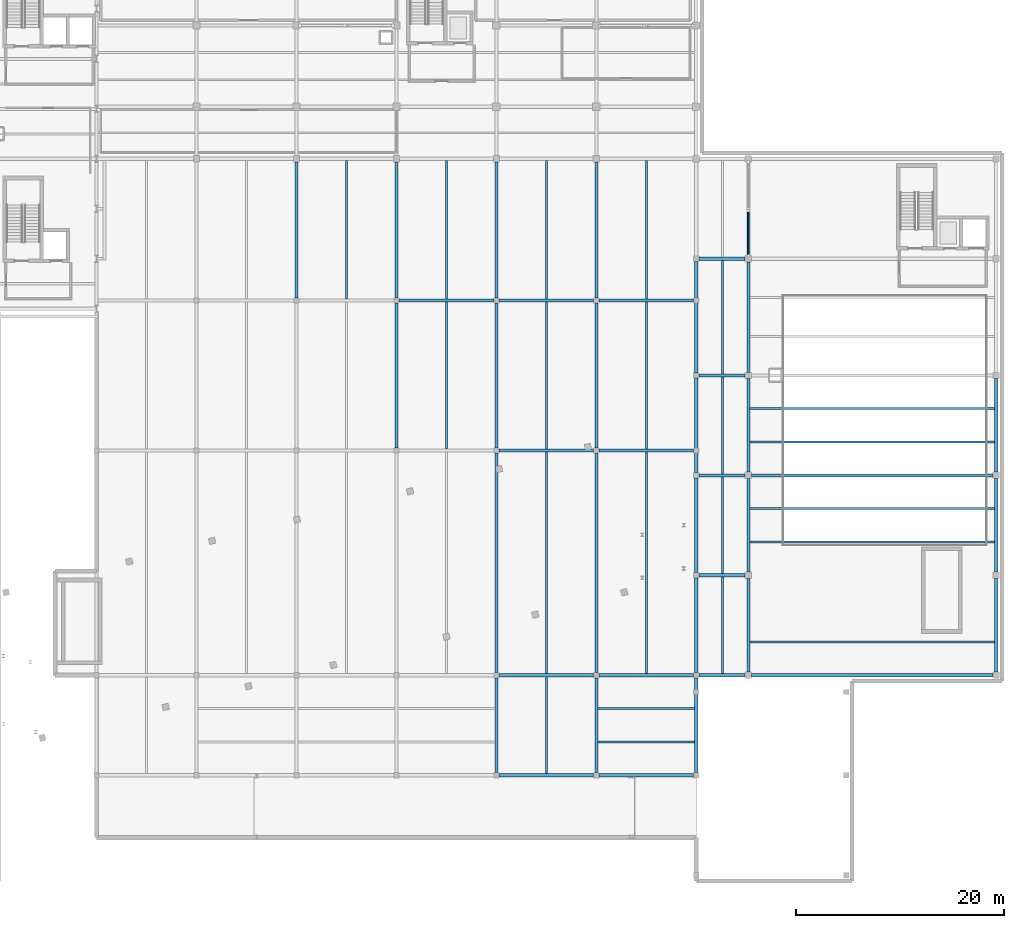
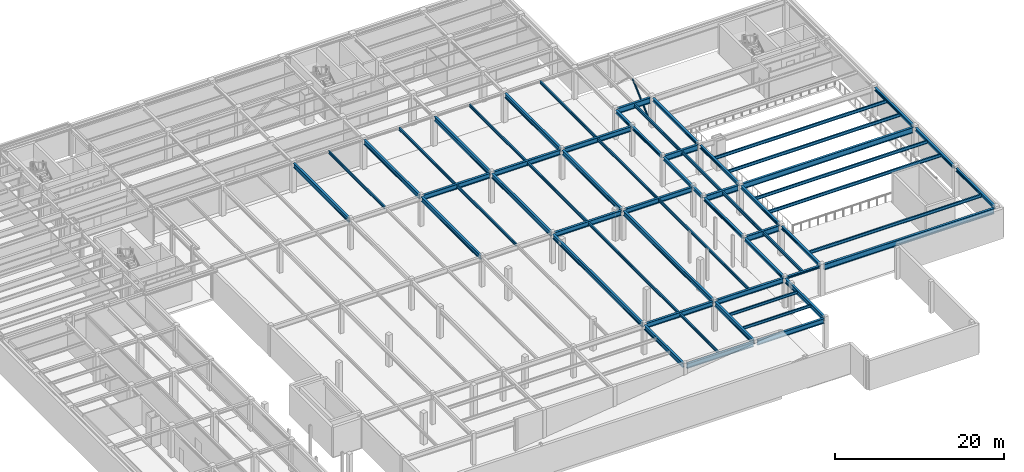
# One storey, part 12 of 32: 60 beams, 1 member.
"""IFC4 building model written with IfcOpenShell, lengths in metres."""

from ifc_helpers import new_model, si_unit, direction, frame, origin, origin_2d, place, context, subcontext, project, spatial, hollow_circle, i_section, extrude, material, material_profile, profile_set, type_object, element, save


model = new_model("IFC4")

# Units and contexts
model_context = context("Model", 3, precision=1e-05, world=origin(), true_north=direction((0.0, 1.0)))
body_context = subcontext(model_context, "Body", "Model", "MODEL_VIEW")
ifc_project = project(units=[si_unit("LENGTHUNIT", "METRE"), si_unit("AREAUNIT", "SQUARE_METRE"), si_unit("VOLUMEUNIT", "CUBIC_METRE"), si_unit("PLANEANGLEUNIT", "RADIAN"), si_unit("MASSUNIT", "GRAM", prefix="KILO")], contexts=[model_context])

# Site, building, storey
site_placement = place(None, origin())
site = spatial("IfcSite", under=ifc_project, at=site_placement, CompositionType="ELEMENT")
building_placement = place(site_placement, origin())
building = spatial("IfcBuilding", under=site, at=building_placement, Name="Nordkorset Police Headquarters", CompositionType="ELEMENT")
storey_placement = place(building_placement, frame((0.0, 0.0, -4.550048828125)))
storey = spatial("IfcBuildingStorey", under=building, at=storey_placement, Name="B01", CompositionType="ELEMENT", Elevation=-4.550048828125)

# Beams
ifc_material_1 = material(Name="Steel S355J2", Category="steel")
ifc_material_profile_1 = material_profile(ifc_material_1, i_section(OverallWidth=0.179931640625, OverallDepth=0.39990234375, WebThickness=0.008544921875, FlangeThickness=0.013427734375, FilletRadius=0.02099609375, at=origin_2d()), Name="IPE 400")
ifc_profile_set_1 = profile_set([ifc_material_profile_1], Name="Steel S355J2")
beam_type_1 = type_object("IfcBeamType", Name="Beam_IPE_400", PredefinedType="BEAM", material=ifc_profile_set_1)
beam_1_placement = place(storey_placement, frame((52.800048828125, 84.14990234375, 4.080078125), z_axis=(0.0, 1.0, 0.0), x_axis=(-1.0, 0.0, 0.0)))
element("IfcBeam", 1, at=beam_1_placement, inside=storey, type_object=beam_type_1, Name="Composite Floor Beam SUB B01 2-3-1", PredefinedType="BEAM", context=body_context, shape_type="SweptSolid", body=[
    extrude(i_section(OverallWidth=0.179931640625, OverallDepth=0.39990234375, WebThickness=0.008544921875, FlangeThickness=0.013427734375, FilletRadius=0.02099609375, at=origin_2d()), origin(), (0.0, 0.0, 1.0), 13.300048828125),
])
beam_2_placement = place(storey_placement, frame((62.39990234375, 69.75, 4.080078125), z_axis=(0.0, 1.0, 0.0), x_axis=(-1.0, 0.0, 0.0)))
element("IfcBeam", 2, at=beam_2_placement, inside=storey, type_object=beam_type_1, Name="Composite Floor Beam SUB B01 3-2-1", PredefinedType="BEAM", context=body_context, shape_type="SweptSolid", body=[
    extrude(i_section(OverallWidth=0.179931640625, OverallDepth=0.39990234375, WebThickness=0.008544921875, FlangeThickness=0.013427734375, FilletRadius=0.02099609375, at=origin_2d()), origin(), (0.0, 0.0, 1.0), 14.10009765625),
])
beam_3_placement = place(storey_placement, frame((62.39990234375, 84.14990234375, 4.080078125), z_axis=(0.0, 1.0, 0.0), x_axis=(-1.0, 0.0, 0.0)))
element("IfcBeam", 3, at=beam_3_placement, inside=storey, type_object=beam_type_1, Name="Composite Floor Beam SUB B01 3-3-1", PredefinedType="BEAM", context=body_context, shape_type="SweptSolid", body=[
    extrude(i_section(OverallWidth=0.179931640625, OverallDepth=0.39990234375, WebThickness=0.008544921875, FlangeThickness=0.013427734375, FilletRadius=0.02099609375, at=origin_2d()), origin(), (0.0, 0.0, 1.0), 13.300048828125),
])
beam_4_placement = place(storey_placement, frame((72.0, 38.550048828125, 4.080078125), z_axis=(0.0, 1.0, 0.0), x_axis=(-1.0, 0.0, 0.0)))
element("IfcBeam", 4, at=beam_4_placement, inside=storey, type_object=beam_type_1, Name="Composite Floor Beam SUB B01 4-0-1", PredefinedType="BEAM", context=body_context, shape_type="SweptSolid", body=[
    extrude(i_section(OverallWidth=0.179931640625, OverallDepth=0.39990234375, WebThickness=0.008544921875, FlangeThickness=0.013427734375, FilletRadius=0.02099609375, at=origin_2d()), origin(), (0.0, 0.0, 1.0), 9.300048828125),
])
beam_5_placement = place(storey_placement, frame((72.0, 48.14990234375, 4.080078125), z_axis=(0.0, 1.0, 0.0), x_axis=(-1.0, 0.0, 0.0)))
element("IfcBeam", 5, at=beam_5_placement, inside=storey, type_object=beam_type_1, Name="Composite Floor Beam SUB B01 4-1-1", PredefinedType="BEAM", context=body_context, shape_type="SweptSolid", body=[
    extrude(i_section(OverallWidth=0.179931640625, OverallDepth=0.39990234375, WebThickness=0.008544921875, FlangeThickness=0.013427734375, FilletRadius=0.02099609375, at=origin_2d()), origin(), (0.0, 0.0, 1.0), 21.300048828125),
])
beam_6_placement = place(storey_placement, frame((72.0, 69.75, 4.080078125), z_axis=(0.0, 1.0, 0.0), x_axis=(-1.0, 0.0, 0.0)))
element("IfcBeam", 6, at=beam_6_placement, inside=storey, type_object=beam_type_1, Name="Composite Floor Beam SUB B01 4-2-1", PredefinedType="BEAM", context=body_context, shape_type="SweptSolid", body=[
    extrude(i_section(OverallWidth=0.179931640625, OverallDepth=0.39990234375, WebThickness=0.008544921875, FlangeThickness=0.013427734375, FilletRadius=0.02099609375, at=origin_2d()), origin(), (0.0, 0.0, 1.0), 14.10009765625),
])
beam_7_placement = place(storey_placement, frame((72.0, 84.14990234375, 4.080078125), z_axis=(0.0, 1.0, 0.0), x_axis=(-1.0, 0.0, 0.0)))
element("IfcBeam", 7, at=beam_7_placement, inside=storey, type_object=beam_type_1, Name="Composite Floor Beam SUB B01 4-3-1", PredefinedType="BEAM", context=body_context, shape_type="SweptSolid", body=[
    extrude(i_section(OverallWidth=0.179931640625, OverallDepth=0.39990234375, WebThickness=0.008544921875, FlangeThickness=0.013427734375, FilletRadius=0.02099609375, at=origin_2d()), origin(), (0.0, 0.0, 1.0), 13.300048828125),
])
for number, where, z_axis, x_axis, name in (
    (8, (76.949951171875, 41.60009765625, 4.080078125), (1.0, 0.0, 0.0), (0.0, 1.0, 0.0), "Composite Floor Beam SUB B01 5-0-1"),
    (9, (76.949951171875, 44.800048828125, 4.080078125), (1.0, 0.0, 0.0), (0.0, 1.0, 0.0), "Composite Floor Beam SUB B01 5-0-2"),
):
    element("IfcBeam", number, at=place(storey_placement, frame(where, z_axis=z_axis, x_axis=x_axis)), inside=storey, type_object=beam_type_1, Name=name, PredefinedType="BEAM", context=body_context, shape_type="SweptSolid", body=[
        extrude(i_section(OverallWidth=0.179931640625, OverallDepth=0.39990234375, WebThickness=0.008544921875, FlangeThickness=0.013427734375, FilletRadius=0.02099609375, at=origin_2d()), origin(), (0.0, 0.0, 1.0), 9.300048828125),
    ])
beam_8_placement = place(storey_placement, frame((81.60009765625, 48.14990234375, 4.080078125), z_axis=(0.0, 1.0, 0.0), x_axis=(-1.0, 0.0, 0.0)))
element("IfcBeam", 10, at=beam_8_placement, inside=storey, type_object=beam_type_1, Name="Composite Floor Beam SUB B01 5-1-1", PredefinedType="BEAM", context=body_context, shape_type="SweptSolid", body=[
    extrude(i_section(OverallWidth=0.179931640625, OverallDepth=0.39990234375, WebThickness=0.008544921875, FlangeThickness=0.013427734375, FilletRadius=0.02099609375, at=origin_2d()), origin(), (0.0, 0.0, 1.0), 21.300048828125),
])
beam_9_placement = place(storey_placement, frame((81.60009765625, 69.75, 4.080078125), z_axis=(0.0, 1.0, 0.0), x_axis=(-1.0, 0.0, 0.0)))
element("IfcBeam", 11, at=beam_9_placement, inside=storey, type_object=beam_type_1, Name="Composite Floor Beam SUB B01 5-2-1", PredefinedType="BEAM", context=body_context, shape_type="SweptSolid", body=[
    extrude(i_section(OverallWidth=0.179931640625, OverallDepth=0.39990234375, WebThickness=0.008544921875, FlangeThickness=0.013427734375, FilletRadius=0.02099609375, at=origin_2d()), origin(), (0.0, 0.0, 1.0), 14.10009765625),
])
beam_10_placement = place(storey_placement, frame((81.60009765625, 84.14990234375, 4.080078125), z_axis=(0.0, 1.0, 0.0), x_axis=(-1.0, 0.0, 0.0)))
element("IfcBeam", 12, at=beam_10_placement, inside=storey, type_object=beam_type_1, Name="Composite Floor Beam SUB B01 5-3-1", PredefinedType="BEAM", context=body_context, shape_type="SweptSolid", body=[
    extrude(i_section(OverallWidth=0.179931640625, OverallDepth=0.39990234375, WebThickness=0.008544921875, FlangeThickness=0.013427734375, FilletRadius=0.02099609375, at=origin_2d()), origin(), (0.0, 0.0, 1.0), 13.300048828125),
])
ifc_material_2 = material(Name="Steel S355J2", Category="steel")
ifc_material_profile_2 = material_profile(ifc_material_2, i_section(OverallWidth=0.18994140625, OverallDepth=0.449951171875, WebThickness=0.009521484375, FlangeThickness=0.0146484375, FilletRadius=0.02099609375, at=origin_2d()), Name="IPE 450")
ifc_profile_set_2 = profile_set([ifc_material_profile_2], Name="Steel S355J2")
beam_type_2 = type_object("IfcBeamType", Name="Beam_IPE_450", PredefinedType="BEAM", material=ifc_profile_set_2)
for number, where, z_axis, x_axis, name in (
    (13, (88.89990234375, 48.14990234375, 4.054931640625), (0.0, 1.0, 0.0), (-1.0, 0.0, 0.0), "Composite Floor Beam V5 B01 0-0-1"),
    (14, (88.89990234375, 57.75, 4.054931640625), (0.0, 1.0, 0.0), (-1.0, 0.0, 0.0), "Composite Floor Beam V5 B01 0-1-1"),
):
    element("IfcBeam", number, at=place(storey_placement, frame(where, z_axis=z_axis, x_axis=x_axis)), inside=storey, type_object=beam_type_2, Name=name, PredefinedType="BEAM", context=body_context, shape_type="SweptSolid", body=[
        extrude(i_section(OverallWidth=0.18994140625, OverallDepth=0.449951171875, WebThickness=0.009521484375, FlangeThickness=0.0146484375, FilletRadius=0.02099609375, at=origin_2d()), origin(), (0.0, 0.0, 1.0), 9.300048828125),
    ])
beam_11_placement = place(storey_placement, frame((88.89990234375, 67.35009765625, 4.054931640625), z_axis=(0.0, 1.0, 0.0), x_axis=(-1.0, 0.0, 0.0)))
element("IfcBeam", 15, at=beam_11_placement, inside=storey, type_object=beam_type_2, Name="Composite Floor Beam V5 B01 0-2-1", PredefinedType="BEAM", context=body_context, shape_type="SweptSolid", body=[
    extrude(i_section(OverallWidth=0.18994140625, OverallDepth=0.449951171875, WebThickness=0.009521484375, FlangeThickness=0.0146484375, FilletRadius=0.02099609375, at=origin_2d()), origin(), (0.0, 0.0, 1.0), 9.2998046875),
])
beam_12_placement = place(storey_placement, frame((88.89990234375, 76.949951171875, 4.054931640625), z_axis=(0.0, 1.0, 0.0), x_axis=(-1.0, 0.0, 0.0)))
element("IfcBeam", 16, at=beam_12_placement, inside=storey, type_object=beam_type_2, Name="Composite Floor Beam V5 B01 0-3-1", PredefinedType="BEAM", context=body_context, shape_type="SweptSolid", body=[
    extrude(i_section(OverallWidth=0.18994140625, OverallDepth=0.449951171875, WebThickness=0.009521484375, FlangeThickness=0.0146484375, FilletRadius=0.02099609375, at=origin_2d()), origin(), (0.0, 0.0, 1.0), 10.900146484375),
])
for number, where, z_axis, x_axis, name in (
    (17, (91.550048828125, 51.199951171875, 4.054931640625), (1.0, 0.0, 0.0), (0.0, 1.0, 0.0), "Composite Floor Beam V5 B01 1-0-1"),
    (18, (91.550048828125, 60.800048828125, 4.054931640625), (1.0, 0.0, 0.0), (0.0, 1.0, 0.0), "Composite Floor Beam V5 B01 1-1-1"),
    (19, (91.550048828125, 64.0, 4.054931640625), (1.0, 0.0, 0.0), (0.0, 1.0, 0.0), "Composite Floor Beam V5 B01 1-1-2"),
    (20, (91.550048828125, 70.39990234375, 4.054931640625), (1.0, 0.0, 0.0), (0.0, 1.0, 0.0), "Composite Floor Beam V5 B01 1-2-1"),
    (21, (91.550048828125, 73.60009765625, 4.054931640625), (1.0, 0.0, 0.0), (0.0, 1.0, 0.0), "Composite Floor Beam V5 B01 1-2-2"),
):
    element("IfcBeam", number, at=place(storey_placement, frame(where, z_axis=z_axis, x_axis=x_axis)), inside=storey, type_object=beam_type_2, Name=name, PredefinedType="BEAM", context=body_context, shape_type="SweptSolid", body=[
        extrude(i_section(OverallWidth=0.18994140625, OverallDepth=0.449951171875, WebThickness=0.009521484375, FlangeThickness=0.0146484375, FilletRadius=0.02099609375, at=origin_2d()), origin(), (0.0, 0.0, 1.0), 23.5),
    ])

# Member
ifc_material_3 = material(Name="Steel S355J2", Category="steel")
ifc_material_profile_3 = material_profile(ifc_material_3, hollow_circle(Radius=0.109619140625, WallThickness=0.010009765625, at=origin_2d()), Name="CHS 219.1x10")
ifc_profile_set_3 = profile_set([ifc_material_profile_3], Name="Steel S355J2")
member_type = type_object("IfcMemberType", Name="Brace_CHS_219.1x10", PredefinedType="BRACE", material=ifc_profile_set_3)
member_placement = place(storey_placement, frame((91.39990234375, 88.300048828125, 0.199951171875), z_axis=(0.0, 0.745688620478, 0.66629459047), x_axis=(-1.0, 0.0, 0.0)))
element("IfcMember", 22, at=member_placement, inside=storey, type_object=member_type, Name="Lateral Chevron Brace BF-V5-A B01 D1", PredefinedType="BRACE", context=body_context, shape_type="SweptSolid", body=[
    extrude(hollow_circle(Radius=0.109619140625, WallThickness=0.010009765625, at=origin_2d()), origin(), (0.0, 0.0, 1.0), 5.79345703125),
])

# Beams
ifc_material_4 = material(Name="Steel S355J2", Category="steel")
ifc_material_profile_4 = material_profile(ifc_material_4, i_section(OverallWidth=0.300048828125, OverallDepth=0.43994140625, WebThickness=0.011474609375, FlangeThickness=0.02099609375, FilletRadius=0.027099609375, at=origin_2d()), Name="HEA 450")
ifc_profile_set_4 = profile_set([ifc_material_profile_4], Name="Steel S355J2")
beam_type_3 = type_object("IfcBeamType", Name="Girder_HEA_450", PredefinedType="USERDEFINED", material=ifc_profile_set_4)
beam_13_placement = place(storey_placement, frame((86.39990234375, 48.25, 4.06005859375), z_axis=(0.0, 1.0, 0.0), x_axis=(-1.0, 0.0, 0.0)))
element("IfcBeam", 23, at=beam_13_placement, inside=storey, type_object=beam_type_3, Name="Girder V5 B01 GY-0-0", ObjectType="GIRDER", PredefinedType="USERDEFINED", context=body_context, shape_type="SweptSolid", body=[
    extrude(i_section(OverallWidth=0.300048828125, OverallDepth=0.43994140625, WebThickness=0.011474609375, FlangeThickness=0.02099609375, FilletRadius=0.027099609375, at=origin_2d()), origin(), (0.0, 0.0, 1.0), 9.10009765625),
])
beam_14_placement = place(storey_placement, frame((86.39990234375, 57.85009765625, 4.06005859375), z_axis=(0.0, 1.0, 0.0), x_axis=(-1.0, 0.0, 0.0)))
element("IfcBeam", 24, at=beam_14_placement, inside=storey, type_object=beam_type_3, Name="Girder V5 B01 GY-0-1", ObjectType="GIRDER", PredefinedType="USERDEFINED", context=body_context, shape_type="SweptSolid", body=[
    extrude(i_section(OverallWidth=0.300048828125, OverallDepth=0.43994140625, WebThickness=0.011474609375, FlangeThickness=0.02099609375, FilletRadius=0.027099609375, at=origin_2d()), origin(), (0.0, 0.0, 1.0), 9.099853515625),
])
beam_15_placement = place(storey_placement, frame((86.39990234375, 67.449951171875, 4.06005859375), z_axis=(0.0, 1.0, 0.0), x_axis=(-1.0, 0.0, 0.0)))
element("IfcBeam", 25, at=beam_15_placement, inside=storey, type_object=beam_type_3, Name="Girder V5 B01 GY-0-2", ObjectType="GIRDER", PredefinedType="USERDEFINED", context=body_context, shape_type="SweptSolid", body=[
    extrude(i_section(OverallWidth=0.300048828125, OverallDepth=0.43994140625, WebThickness=0.011474609375, FlangeThickness=0.02099609375, FilletRadius=0.027099609375, at=origin_2d()), origin(), (0.0, 0.0, 1.0), 9.10009765625),
])
beam_16_placement = place(storey_placement, frame((86.39990234375, 77.050048828125, 4.06005859375), z_axis=(0.0, 1.0, 0.0), x_axis=(-1.0, 0.0, 0.0)))
element("IfcBeam", 26, at=beam_16_placement, inside=storey, type_object=beam_type_3, Name="Girder V5 B01 GY-0-3", ObjectType="GIRDER", PredefinedType="USERDEFINED", context=body_context, shape_type="SweptSolid", body=[
    extrude(i_section(OverallWidth=0.300048828125, OverallDepth=0.43994140625, WebThickness=0.011474609375, FlangeThickness=0.02099609375, FilletRadius=0.027099609375, at=origin_2d()), origin(), (0.0, 0.0, 1.0), 10.699951171875),
])
for number, where, z_axis, x_axis, name in (
    (27, (91.39990234375, 48.300048828125, 4.06005859375), (0.0, 1.0, 0.0), (-1.0, 0.0, 0.0), "Girder V5 B01 GY-1-0"),
    (28, (91.39990234375, 57.89990234375, 4.06005859375), (0.0, 1.0, 0.0), (-1.0, 0.0, 0.0), "Girder V5 B01 GY-1-1"),
    (29, (91.39990234375, 67.5, 4.06005859375), (0.0, 1.0, 0.0), (-1.0, 0.0, 0.0), "Girder V5 B01 GY-1-2"),
):
    element("IfcBeam", number, at=place(storey_placement, frame(where, z_axis=z_axis, x_axis=x_axis)), inside=storey, type_object=beam_type_3, Name=name, ObjectType="GIRDER", PredefinedType="USERDEFINED", context=body_context, shape_type="SweptSolid", body=[
        extrude(i_section(OverallWidth=0.300048828125, OverallDepth=0.43994140625, WebThickness=0.011474609375, FlangeThickness=0.02099609375, FilletRadius=0.027099609375, at=origin_2d()), origin(), (0.0, 0.0, 1.0), 9.0),
    ])
beam_17_placement = place(storey_placement, frame((91.39990234375, 77.10009765625, 4.06005859375), z_axis=(0.0, 1.0, 0.0), x_axis=(-1.0, 0.0, 0.0)))
element("IfcBeam", 30, at=beam_17_placement, inside=storey, type_object=beam_type_3, Name="Girder V5 B01 GY-1-3", ObjectType="GIRDER", PredefinedType="USERDEFINED", context=body_context, shape_type="SweptSolid", body=[
    extrude(i_section(OverallWidth=0.300048828125, OverallDepth=0.43994140625, WebThickness=0.011474609375, FlangeThickness=0.02099609375, FilletRadius=0.027099609375, at=origin_2d()), origin(), (0.0, 0.0, 1.0), 10.599853515625),
])
for number, where, z_axis, x_axis, name in (
    (31, (115.199951171875, 48.300048828125, 4.06005859375), (0.0, 1.0, 0.0), (-1.0, 0.0, 0.0), "Girder V5 B01 GY-2-0"),
    (32, (115.199951171875, 57.89990234375, 4.06005859375), (0.0, 1.0, 0.0), (-1.0, 0.0, 0.0), "Girder V5 B01 GY-2-1"),
    (33, (115.199951171875, 67.5, 4.06005859375), (0.0, 1.0, 0.0), (-1.0, 0.0, 0.0), "Girder V5 B01 GY-2-2"),
):
    element("IfcBeam", number, at=place(storey_placement, frame(where, z_axis=z_axis, x_axis=x_axis)), inside=storey, type_object=beam_type_3, Name=name, ObjectType="GIRDER", PredefinedType="USERDEFINED", context=body_context, shape_type="SweptSolid", body=[
        extrude(i_section(OverallWidth=0.300048828125, OverallDepth=0.43994140625, WebThickness=0.011474609375, FlangeThickness=0.02099609375, FilletRadius=0.027099609375, at=origin_2d()), origin(), (0.0, 0.0, 1.0), 9.0),
    ])
ifc_material_5 = material(Name="Steel S355J2", Category="steel")
ifc_material_profile_5 = material_profile(ifc_material_5, i_section(OverallWidth=0.300048828125, OverallDepth=0.64990234375, WebThickness=0.01611328125, FlangeThickness=0.031005859375, FilletRadius=0.027099609375, at=origin_2d()), Name="HEB 650")
ifc_profile_set_5 = profile_set([ifc_material_profile_5], Name="Steel S355J2")
beam_type_4 = type_object("IfcBeamType", Name="Girder_HEB_650", PredefinedType="USERDEFINED", material=ifc_profile_set_5)
beam_18_placement = place(storey_placement, frame((48.0, 84.25, 3.955078125), z_axis=(0.0, 1.0, 0.0), x_axis=(-1.0, 0.0, 0.0)))
element("IfcBeam", 34, at=beam_18_placement, inside=storey, type_object=beam_type_4, Name="Girder SUB B01 GY-2-3", ObjectType="GIRDER", PredefinedType="USERDEFINED", context=body_context, shape_type="SweptSolid", body=[
    extrude(i_section(OverallWidth=0.300048828125, OverallDepth=0.64990234375, WebThickness=0.01611328125, FlangeThickness=0.031005859375, FilletRadius=0.027099609375, at=origin_2d()), origin(), (0.0, 0.0, 1.0), 13.050048828125),
])
beam_19_placement = place(storey_placement, frame((57.60009765625, 69.85009765625, 3.955078125), z_axis=(0.0, 1.0, 0.0), x_axis=(-1.0, 0.0, 0.0)))
element("IfcBeam", 35, at=beam_19_placement, inside=storey, type_object=beam_type_4, Name="Girder SUB B01 GY-3-2", ObjectType="GIRDER", PredefinedType="USERDEFINED", context=body_context, shape_type="SweptSolid", body=[
    extrude(i_section(OverallWidth=0.300048828125, OverallDepth=0.64990234375, WebThickness=0.01611328125, FlangeThickness=0.031005859375, FilletRadius=0.027099609375, at=origin_2d()), origin(), (0.0, 0.0, 1.0), 13.89990234375),
])
beam_20_placement = place(storey_placement, frame((57.60009765625, 84.25, 3.955078125), z_axis=(0.0, 1.0, 0.0), x_axis=(-1.0, 0.0, 0.0)))
element("IfcBeam", 36, at=beam_20_placement, inside=storey, type_object=beam_type_4, Name="Girder SUB B01 GY-3-3", ObjectType="GIRDER", PredefinedType="USERDEFINED", context=body_context, shape_type="SweptSolid", body=[
    extrude(i_section(OverallWidth=0.300048828125, OverallDepth=0.64990234375, WebThickness=0.01611328125, FlangeThickness=0.031005859375, FilletRadius=0.027099609375, at=origin_2d()), origin(), (0.0, 0.0, 1.0), 13.050048828125),
])
beam_21_placement = place(storey_placement, frame((67.199951171875, 38.64990234375, 3.955078125), z_axis=(0.0, 1.0, 0.0), x_axis=(-1.0, 0.0, 0.0)))
element("IfcBeam", 37, at=beam_21_placement, inside=storey, type_object=beam_type_4, Name="Girder SUB B01 GY-4-0", ObjectType="GIRDER", PredefinedType="USERDEFINED", context=body_context, shape_type="SweptSolid", body=[
    extrude(i_section(OverallWidth=0.300048828125, OverallDepth=0.64990234375, WebThickness=0.01611328125, FlangeThickness=0.031005859375, FilletRadius=0.027099609375, at=origin_2d()), origin(), (0.0, 0.0, 1.0), 9.10009765625),
])
beam_22_placement = place(storey_placement, frame((67.199951171875, 48.25, 3.955078125), z_axis=(0.0, 1.0, 0.0), x_axis=(-1.0, 0.0, 0.0)))
element("IfcBeam", 38, at=beam_22_placement, inside=storey, type_object=beam_type_4, Name="Girder SUB B01 GY-4-1", ObjectType="GIRDER", PredefinedType="USERDEFINED", context=body_context, shape_type="SweptSolid", body=[
    extrude(i_section(OverallWidth=0.300048828125, OverallDepth=0.64990234375, WebThickness=0.01611328125, FlangeThickness=0.031005859375, FilletRadius=0.027099609375, at=origin_2d()), origin(), (0.0, 0.0, 1.0), 21.10009765625),
])
beam_23_placement = place(storey_placement, frame((67.199951171875, 69.85009765625, 3.955078125), z_axis=(0.0, 1.0, 0.0), x_axis=(-1.0, 0.0, 0.0)))
element("IfcBeam", 39, at=beam_23_placement, inside=storey, type_object=beam_type_4, Name="Girder SUB B01 GY-4-2", ObjectType="GIRDER", PredefinedType="USERDEFINED", context=body_context, shape_type="SweptSolid", body=[
    extrude(i_section(OverallWidth=0.300048828125, OverallDepth=0.64990234375, WebThickness=0.01611328125, FlangeThickness=0.031005859375, FilletRadius=0.027099609375, at=origin_2d()), origin(), (0.0, 0.0, 1.0), 13.89990234375),
])
beam_24_placement = place(storey_placement, frame((67.199951171875, 84.25, 3.955078125), z_axis=(0.0, 1.0, 0.0), x_axis=(-1.0, 0.0, 0.0)))
element("IfcBeam", 40, at=beam_24_placement, inside=storey, type_object=beam_type_4, Name="Girder SUB B01 GY-4-3", ObjectType="GIRDER", PredefinedType="USERDEFINED", context=body_context, shape_type="SweptSolid", body=[
    extrude(i_section(OverallWidth=0.300048828125, OverallDepth=0.64990234375, WebThickness=0.01611328125, FlangeThickness=0.031005859375, FilletRadius=0.027099609375, at=origin_2d()), origin(), (0.0, 0.0, 1.0), 13.050048828125),
])
beam_25_placement = place(storey_placement, frame((76.800048828125, 38.64990234375, 3.955078125), z_axis=(0.0, 1.0, 0.0), x_axis=(-1.0, 0.0, 0.0)))
element("IfcBeam", 41, at=beam_25_placement, inside=storey, type_object=beam_type_4, Name="Girder SUB B01 GY-5-0", ObjectType="GIRDER", PredefinedType="USERDEFINED", context=body_context, shape_type="SweptSolid", body=[
    extrude(i_section(OverallWidth=0.300048828125, OverallDepth=0.64990234375, WebThickness=0.01611328125, FlangeThickness=0.031005859375, FilletRadius=0.027099609375, at=origin_2d()), origin(), (0.0, 0.0, 1.0), 9.10009765625),
])
beam_26_placement = place(storey_placement, frame((76.800048828125, 48.25, 3.955078125), z_axis=(0.0, 1.0, 0.0), x_axis=(-1.0, 0.0, 0.0)))
element("IfcBeam", 42, at=beam_26_placement, inside=storey, type_object=beam_type_4, Name="Girder SUB B01 GY-5-1", ObjectType="GIRDER", PredefinedType="USERDEFINED", context=body_context, shape_type="SweptSolid", body=[
    extrude(i_section(OverallWidth=0.300048828125, OverallDepth=0.64990234375, WebThickness=0.01611328125, FlangeThickness=0.031005859375, FilletRadius=0.027099609375, at=origin_2d()), origin(), (0.0, 0.0, 1.0), 21.10009765625),
])
beam_27_placement = place(storey_placement, frame((76.800048828125, 69.85009765625, 3.955078125), z_axis=(0.0, 1.0, 0.0), x_axis=(-1.0, 0.0, 0.0)))
element("IfcBeam", 43, at=beam_27_placement, inside=storey, type_object=beam_type_4, Name="Girder SUB B01 GY-5-2", ObjectType="GIRDER", PredefinedType="USERDEFINED", context=body_context, shape_type="SweptSolid", body=[
    extrude(i_section(OverallWidth=0.300048828125, OverallDepth=0.64990234375, WebThickness=0.01611328125, FlangeThickness=0.031005859375, FilletRadius=0.027099609375, at=origin_2d()), origin(), (0.0, 0.0, 1.0), 13.89990234375),
])
beam_28_placement = place(storey_placement, frame((76.800048828125, 84.25, 3.955078125), z_axis=(0.0, 1.0, 0.0), x_axis=(-1.0, 0.0, 0.0)))
element("IfcBeam", 44, at=beam_28_placement, inside=storey, type_object=beam_type_4, Name="Girder SUB B01 GY-5-3", ObjectType="GIRDER", PredefinedType="USERDEFINED", context=body_context, shape_type="SweptSolid", body=[
    extrude(i_section(OverallWidth=0.300048828125, OverallDepth=0.64990234375, WebThickness=0.01611328125, FlangeThickness=0.031005859375, FilletRadius=0.027099609375, at=origin_2d()), origin(), (0.0, 0.0, 1.0), 13.050048828125),
])
beam_29_placement = place(storey_placement, frame((86.39990234375, 38.64990234375, 3.955078125), z_axis=(0.0, 1.0, 0.0), x_axis=(-1.0, 0.0, 0.0)))
element("IfcBeam", 45, at=beam_29_placement, inside=storey, type_object=beam_type_4, Name="Girder SUB B01 GY-6-0", ObjectType="GIRDER", PredefinedType="USERDEFINED", context=body_context, shape_type="SweptSolid", body=[
    extrude(i_section(OverallWidth=0.300048828125, OverallDepth=0.64990234375, WebThickness=0.01611328125, FlangeThickness=0.031005859375, FilletRadius=0.027099609375, at=origin_2d()), origin(), (0.0, 0.0, 1.0), 9.10009765625),
])
ifc_material_6 = material(Name="Steel S355J2", Category="steel")
ifc_material_profile_6 = material_profile(ifc_material_6, i_section(OverallWidth=0.300048828125, OverallDepth=0.699951171875, WebThickness=0.01708984375, FlangeThickness=0.031982421875, FilletRadius=0.027099609375, at=origin_2d()), Name="HEB 700")
ifc_profile_set_6 = profile_set([ifc_material_profile_6], Name="Steel S355J2")
beam_type_5 = type_object("IfcBeamType", Name="Girder_HEB_700", PredefinedType="USERDEFINED", material=ifc_profile_set_6)
beam_30_placement = place(storey_placement, frame((67.449951171875, 38.39990234375, 3.929931640625), z_axis=(1.0, 0.0, 0.0), x_axis=(0.0, 1.0, 0.0)))
element("IfcBeam", 46, at=beam_30_placement, inside=storey, type_object=beam_type_5, Name="Girder SUB B01 GX-0-4", ObjectType="GIRDER", PredefinedType="USERDEFINED", context=body_context, shape_type="SweptSolid", body=[
    extrude(i_section(OverallWidth=0.300048828125, OverallDepth=0.699951171875, WebThickness=0.01708984375, FlangeThickness=0.031982421875, FilletRadius=0.027099609375, at=origin_2d()), origin(), (0.0, 0.0, 1.0), 9.10009765625),
])
beam_31_placement = place(storey_placement, frame((77.050048828125, 38.39990234375, 3.929931640625), z_axis=(1.0, 0.0, 0.0), x_axis=(0.0, 1.0, 0.0)))
element("IfcBeam", 47, at=beam_31_placement, inside=storey, type_object=beam_type_5, Name="Girder SUB B01 GX-0-5", ObjectType="GIRDER", PredefinedType="USERDEFINED", context=body_context, shape_type="SweptSolid", body=[
    extrude(i_section(OverallWidth=0.300048828125, OverallDepth=0.699951171875, WebThickness=0.01708984375, FlangeThickness=0.031982421875, FilletRadius=0.027099609375, at=origin_2d()), origin(), (0.0, 0.0, 1.0), 9.099853515625),
])
beam_32_placement = place(storey_placement, frame((67.449951171875, 48.0, 3.929931640625), z_axis=(1.0, 0.0, 0.0), x_axis=(0.0, 1.0, 0.0)))
element("IfcBeam", 48, at=beam_32_placement, inside=storey, type_object=beam_type_5, Name="Girder SUB B01 GX-1-4", ObjectType="GIRDER", PredefinedType="USERDEFINED", context=body_context, shape_type="SweptSolid", body=[
    extrude(i_section(OverallWidth=0.300048828125, OverallDepth=0.699951171875, WebThickness=0.01708984375, FlangeThickness=0.031982421875, FilletRadius=0.027099609375, at=origin_2d()), origin(), (0.0, 0.0, 1.0), 9.10009765625),
])
beam_33_placement = place(storey_placement, frame((77.050048828125, 48.0, 3.929931640625), z_axis=(1.0, 0.0, 0.0), x_axis=(0.0, 1.0, 0.0)))
element("IfcBeam", 49, at=beam_33_placement, inside=storey, type_object=beam_type_5, Name="Girder SUB B01 GX-1-5", ObjectType="GIRDER", PredefinedType="USERDEFINED", context=body_context, shape_type="SweptSolid", body=[
    extrude(i_section(OverallWidth=0.300048828125, OverallDepth=0.699951171875, WebThickness=0.01708984375, FlangeThickness=0.031982421875, FilletRadius=0.027099609375, at=origin_2d()), origin(), (0.0, 0.0, 1.0), 9.099853515625),
])
beam_34_placement = place(storey_placement, frame((67.449951171875, 69.60009765625, 3.929931640625), z_axis=(1.0, 0.0, 0.0), x_axis=(0.0, 1.0, 0.0)))
element("IfcBeam", 50, at=beam_34_placement, inside=storey, type_object=beam_type_5, Name="Girder SUB B01 GX-2-4", ObjectType="GIRDER", PredefinedType="USERDEFINED", context=body_context, shape_type="SweptSolid", body=[
    extrude(i_section(OverallWidth=0.300048828125, OverallDepth=0.699951171875, WebThickness=0.01708984375, FlangeThickness=0.031982421875, FilletRadius=0.027099609375, at=origin_2d()), origin(), (0.0, 0.0, 1.0), 9.10009765625),
])
for number, where, z_axis, x_axis, name in (
    (51, (77.050048828125, 69.60009765625, 3.929931640625), (1.0, 0.0, 0.0), (0.0, 1.0, 0.0), "Girder SUB B01 GX-2-5"),
    (52, (57.85009765625, 84.0, 3.929931640625), (1.0, 0.0, 0.0), (0.0, 1.0, 0.0), "Girder SUB B01 GX-3-3"),
):
    element("IfcBeam", number, at=place(storey_placement, frame(where, z_axis=z_axis, x_axis=x_axis)), inside=storey, type_object=beam_type_5, Name=name, ObjectType="GIRDER", PredefinedType="USERDEFINED", context=body_context, shape_type="SweptSolid", body=[
        extrude(i_section(OverallWidth=0.300048828125, OverallDepth=0.699951171875, WebThickness=0.01708984375, FlangeThickness=0.031982421875, FilletRadius=0.027099609375, at=origin_2d()), origin(), (0.0, 0.0, 1.0), 9.099853515625),
    ])
beam_35_placement = place(storey_placement, frame((67.449951171875, 84.0, 3.929931640625), z_axis=(1.0, 0.0, 0.0), x_axis=(0.0, 1.0, 0.0)))
element("IfcBeam", 53, at=beam_35_placement, inside=storey, type_object=beam_type_5, Name="Girder SUB B01 GX-3-4", ObjectType="GIRDER", PredefinedType="USERDEFINED", context=body_context, shape_type="SweptSolid", body=[
    extrude(i_section(OverallWidth=0.300048828125, OverallDepth=0.699951171875, WebThickness=0.01708984375, FlangeThickness=0.031982421875, FilletRadius=0.027099609375, at=origin_2d()), origin(), (0.0, 0.0, 1.0), 9.10009765625),
])
beam_36_placement = place(storey_placement, frame((77.050048828125, 84.0, 3.929931640625), z_axis=(1.0, 0.0, 0.0), x_axis=(0.0, 1.0, 0.0)))
element("IfcBeam", 54, at=beam_36_placement, inside=storey, type_object=beam_type_5, Name="Girder SUB B01 GX-3-5", ObjectType="GIRDER", PredefinedType="USERDEFINED", context=body_context, shape_type="SweptSolid", body=[
    extrude(i_section(OverallWidth=0.300048828125, OverallDepth=0.699951171875, WebThickness=0.01708984375, FlangeThickness=0.031982421875, FilletRadius=0.027099609375, at=origin_2d()), origin(), (0.0, 0.0, 1.0), 9.099853515625),
])
ifc_material_7 = material(Name="Steel S355J2", Category="steel")
ifc_material_profile_7 = material_profile(ifc_material_7, i_section(OverallWidth=0.300048828125, OverallDepth=0.800048828125, WebThickness=0.017578125, FlangeThickness=0.032958984375, FilletRadius=0.030029296875, at=origin_2d()), Name="HEB 800")
ifc_profile_set_7 = profile_set([ifc_material_profile_7], Name="Steel S355J2")
beam_type_6 = type_object("IfcBeamType", Name="Girder_HEB_800", PredefinedType="USERDEFINED", material=ifc_profile_set_7)
beam_37_placement = place(storey_placement, frame((91.699951171875, 48.0, 3.880126953125), z_axis=(1.0, 0.0, 0.0), x_axis=(0.0, 1.0, 0.0)))
element("IfcBeam", 55, at=beam_37_placement, inside=storey, type_object=beam_type_6, Name="Girder V5 B01 GX-0-1", ObjectType="GIRDER", PredefinedType="USERDEFINED", context=body_context, shape_type="SweptSolid", body=[
    extrude(i_section(OverallWidth=0.300048828125, OverallDepth=0.800048828125, WebThickness=0.017578125, FlangeThickness=0.032958984375, FilletRadius=0.030029296875, at=origin_2d()), origin(), (0.0, 0.0, 1.0), 23.199951171875),
])
for number, where, z_axis, x_axis, name in (
    (56, (86.64990234375, 57.60009765625, 3.880126953125), (1.0, 0.0, 0.0), (0.0, 1.0, 0.0), "Girder V5 B01 GX-1-0"),
    (57, (86.64990234375, 67.199951171875, 3.880126953125), (1.0, 0.0, 0.0), (0.0, 1.0, 0.0), "Girder V5 B01 GX-2-0"),
):
    element("IfcBeam", number, at=place(storey_placement, frame(where, z_axis=z_axis, x_axis=x_axis)), inside=storey, type_object=beam_type_6, Name=name, ObjectType="GIRDER", PredefinedType="USERDEFINED", context=body_context, shape_type="SweptSolid", body=[
        extrude(i_section(OverallWidth=0.300048828125, OverallDepth=0.800048828125, WebThickness=0.017578125, FlangeThickness=0.032958984375, FilletRadius=0.030029296875, at=origin_2d()), origin(), (0.0, 0.0, 1.0), 4.4501953125),
    ])
beam_38_placement = place(storey_placement, frame((91.699951171875, 67.199951171875, 3.880126953125), z_axis=(1.0, 0.0, 0.0), x_axis=(0.0, 1.0, 0.0)))
element("IfcBeam", 58, at=beam_38_placement, inside=storey, type_object=beam_type_6, Name="Girder V5 B01 GX-2-1", ObjectType="GIRDER", PredefinedType="USERDEFINED", context=body_context, shape_type="SweptSolid", body=[
    extrude(i_section(OverallWidth=0.300048828125, OverallDepth=0.800048828125, WebThickness=0.017578125, FlangeThickness=0.032958984375, FilletRadius=0.030029296875, at=origin_2d()), origin(), (0.0, 0.0, 1.0), 23.199951171875),
])
for number, where, z_axis, x_axis, name in (
    (59, (86.64990234375, 76.800048828125, 3.880126953125), (1.0, 0.0, 0.0), (0.0, 1.0, 0.0), "Girder V5 B01 GX-3-0"),
    (60, (86.64990234375, 88.0, 3.880126953125), (1.0, 0.0, 0.0), (0.0, 1.0, 0.0), "Girder V5 B01 GX-4-0"),
):
    element("IfcBeam", number, at=place(storey_placement, frame(where, z_axis=z_axis, x_axis=x_axis)), inside=storey, type_object=beam_type_6, Name=name, ObjectType="GIRDER", PredefinedType="USERDEFINED", context=body_context, shape_type="SweptSolid", body=[
        extrude(i_section(OverallWidth=0.300048828125, OverallDepth=0.800048828125, WebThickness=0.017578125, FlangeThickness=0.032958984375, FilletRadius=0.030029296875, at=origin_2d()), origin(), (0.0, 0.0, 1.0), 4.4501953125),
    ])
ifc_material_8 = material(Name="Steel S355J2", Category="steel")
ifc_material_profile_8 = material_profile(ifc_material_8, i_section(OverallWidth=0.300048828125, OverallDepth=0.31005859375, WebThickness=0.009033203125, FlangeThickness=0.015380859375, FilletRadius=0.027099609375, at=origin_2d()), Name="HEA 320")
ifc_profile_set_8 = profile_set([ifc_material_profile_8], Name="Steel S355J2")
beam_type_7 = type_object("IfcBeamType", Name="Spandrel_HEA_320", PredefinedType="SPANDREL", material=ifc_profile_set_8)
beam_39_placement = place(storey_placement, frame((86.64990234375, 48.0, 4.125), z_axis=(1.0, 0.0, 0.0), x_axis=(0.0, 1.0, 0.0)))
element("IfcBeam", 61, at=beam_39_placement, inside=storey, type_object=beam_type_7, Name="Girder V5 B01 GX-0-0", PredefinedType="SPANDREL", context=body_context, shape_type="SweptSolid", body=[
    extrude(i_section(OverallWidth=0.300048828125, OverallDepth=0.31005859375, WebThickness=0.009033203125, FlangeThickness=0.015380859375, FilletRadius=0.027099609375, at=origin_2d()), origin(), (0.0, 0.0, 1.0), 4.4501953125),
])

save(model, "model.ifc")
